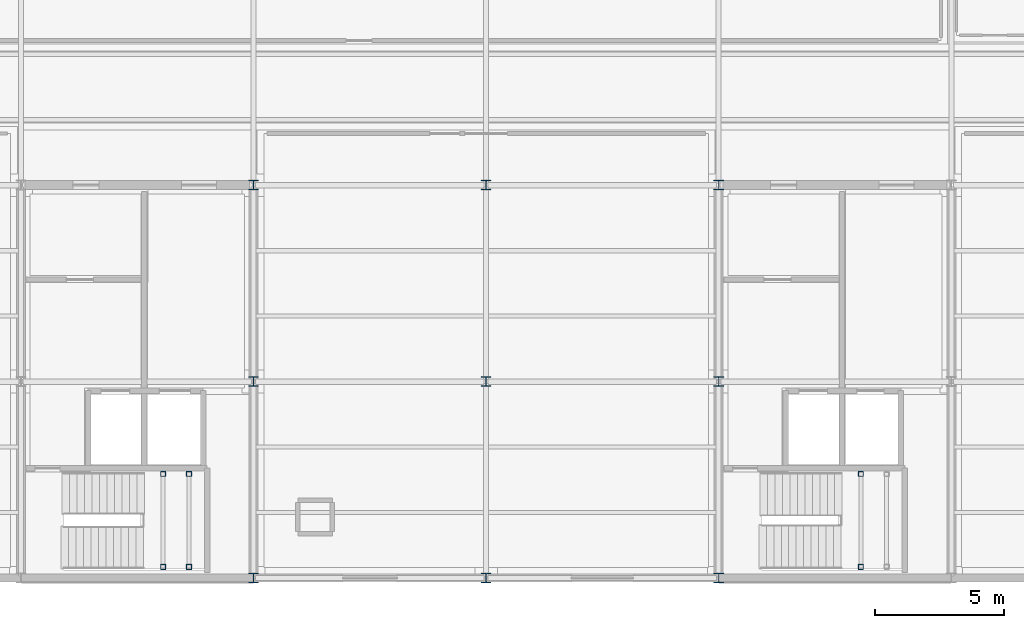
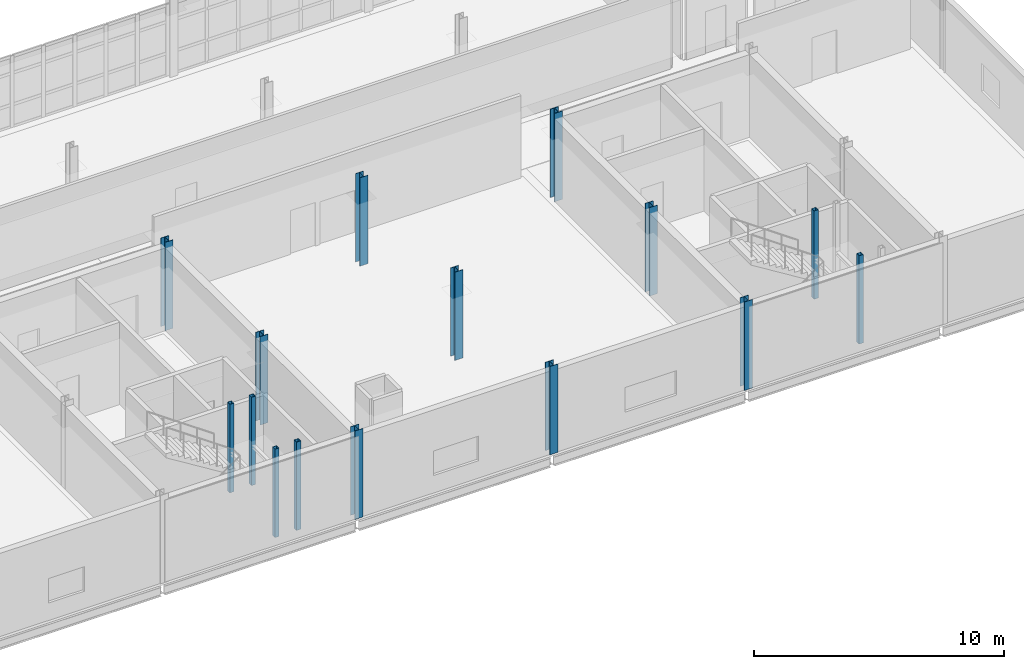
# One storey, part 9 of 174: 15 columns.
"""IFC4 building model written with IfcOpenShell, lengths in metres."""

from ifc_helpers import new_model, si_unit, direction, frame, origin, origin_2d, place, context, subcontext, project, spatial, hollow_rectangle, i_section, extrude, material, material_profile, profile_set, type_object, element, save


model = new_model("IFC4")

# Units and contexts
model_context = context("Model", 3, precision=1e-05, world=origin(), true_north=direction((0.0, 1.0)))
body_context = subcontext(model_context, "Body", "Model", "MODEL_VIEW")
ifc_project = project(units=[si_unit("LENGTHUNIT", "METRE"), si_unit("AREAUNIT", "SQUARE_METRE"), si_unit("VOLUMEUNIT", "CUBIC_METRE"), si_unit("PLANEANGLEUNIT", "RADIAN"), si_unit("MASSUNIT", "GRAM", prefix="KILO")], contexts=[model_context])

# Site, building, storey
site_placement = place(None, origin())
site = spatial("IfcSite", under=ifc_project, at=site_placement, CompositionType="ELEMENT")
building_placement = place(site_placement, origin())
building = spatial("IfcBuilding", under=site, at=building_placement, Name="Caisbarro Railhouse Central Library", CompositionType="ELEMENT")
storey_placement = place(building_placement, frame((0.0, 0.0, 5.0400390625)))
storey = spatial("IfcBuildingStorey", under=building, at=storey_placement, Name="L01", CompositionType="ELEMENT", Elevation=5.0400390625)

# Columns
ifc_material = material(Name="Steel ASTM A572 Grade 50", Category="steel")
ifc_material_profile_1 = material_profile(ifc_material, i_section(OverallWidth=0.37109375, OverallDepth=0.364013671875, WebThickness=0.01318359375, FlangeThickness=0.021728515625, FilletRadius=0.01806640625, at=origin_2d()), Name="W360X162.0")
ifc_profile_set_1 = profile_set([ifc_material_profile_1], Name="Steel ASTM A572 Grade 50")
column_type_1 = type_object("IfcColumnType", Name="COL-C02", PredefinedType="COLUMN", material=ifc_profile_set_1)
for number, where, z_axis, x_axis, name in (
    (1, (72.0, 0.0, 0.0), (0.0, 0.0, 1.0), (1.0, 0.0, 0.0), "C02 column L01 (72.0,0.0)"),
    (2, (72.0, 7.60009765625, 0.0), (0.0, 0.0, 1.0), (1.0, 0.0, 0.0), "C02 column L01 (72.0,7.6)"),
    (3, (72.0, 15.199951171875, 0.0), (0.0, 0.0, 1.0), (1.0, 0.0, 0.0), "C02 column L01 (72.0,15.2)"),
    (4, (81.0, 0.0, 0.0), (0.0, 0.0, 1.0), (1.0, 0.0, 0.0), "C02 column L01 (81.0,0.0)"),
    (5, (81.0, 7.60009765625, 0.0), (0.0, 0.0, 1.0), (1.0, 0.0, 0.0), "C02 column L01 (81.0,7.6)"),
    (6, (81.0, 15.199951171875, 0.0), (0.0, 0.0, 1.0), (1.0, 0.0, 0.0), "C02 column L01 (81.0,15.2)"),
    (7, (90.0, 0.0, 0.0), (0.0, 0.0, 1.0), (1.0, 0.0, 0.0), "C02 column L01 (90.0,0.0)"),
    (8, (90.0, 7.60009765625, 0.0), (0.0, 0.0, 1.0), (1.0, 0.0, 0.0), "C02 column L01 (90.0,7.6)"),
    (9, (90.0, 15.199951171875, 0.0), (0.0, 0.0, 1.0), (1.0, 0.0, 0.0), "C02 column L01 (90.0,15.2)"),
):
    element("IfcColumn", number, at=place(storey_placement, frame(where, z_axis=z_axis, x_axis=x_axis)), inside=storey, type_object=column_type_1, Name=name, PredefinedType="COLUMN", context=body_context, shape_type="SweptSolid", body=[
        extrude(i_section(OverallWidth=0.37109375, OverallDepth=0.364013671875, WebThickness=0.01318359375, FlangeThickness=0.021728515625, FilletRadius=0.01806640625, at=origin_2d()), origin(), (0.0, 0.0, 1.0), 4.320068359375),
    ])
ifc_material_profile_2 = material_profile(ifc_material, hollow_rectangle(XDim=0.199951171875, YDim=0.199951171875, WallThickness=0.012451171875, at=origin_2d()), Name="HSS200X200X12.5")
ifc_profile_set_2 = profile_set([ifc_material_profile_2], Name="Steel ASTM A572 Grade 50")
column_type_2 = type_object("IfcColumnType", Name="COL-C10", PredefinedType="COLUMN", material=ifc_profile_set_2)
for number, where, z_axis, x_axis, name in (
    (10, (68.5, 0.419921875, 0.0), (0.0, 0.0, 1.0), (1.0, 0.0, 0.0), "C10 Stair Landing Post K1 L01.1"),
    (11, (68.5, 4.030029296875, 0.0), (0.0, 0.0, 1.0), (1.0, 0.0, 0.0), "C10 Stair Landing Post K1 L01.2"),
    (12, (69.5, 0.419921875, 0.0), (0.0, 0.0, 1.0), (1.0, 0.0, 0.0), "C10 Stair Landing Post K1 L01.3"),
    (13, (69.5, 4.030029296875, 0.0), (0.0, 0.0, 1.0), (1.0, 0.0, 0.0), "C10 Stair Landing Post K1 L01.4"),
    (14, (95.5, 0.419921875, 0.0), (0.0, 0.0, 1.0), (1.0, 0.0, 0.0), "C10 Stair Landing Post K2 L01.1"),
    (15, (95.5, 4.030029296875, 0.0), (0.0, 0.0, 1.0), (1.0, 0.0, 0.0), "C10 Stair Landing Post K2 L01.2"),
):
    element("IfcColumn", number, at=place(storey_placement, frame(where, z_axis=z_axis, x_axis=x_axis)), inside=storey, type_object=column_type_2, Name=name, PredefinedType="COLUMN", context=body_context, shape_type="SweptSolid", body=[
        extrude(hollow_rectangle(XDim=0.199951171875, YDim=0.199951171875, WallThickness=0.012451171875, at=origin_2d()), origin(), (0.0, 0.0, 1.0), 4.320068359375),
    ])

save(model, "model.ifc")
